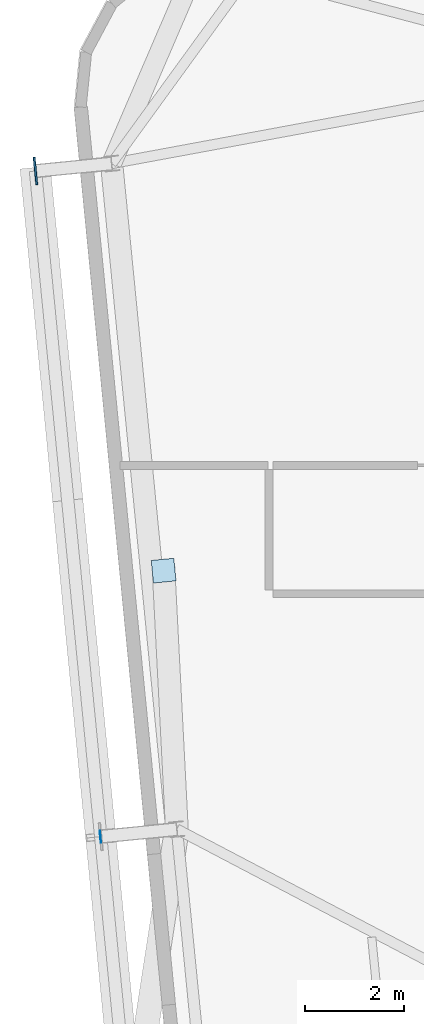
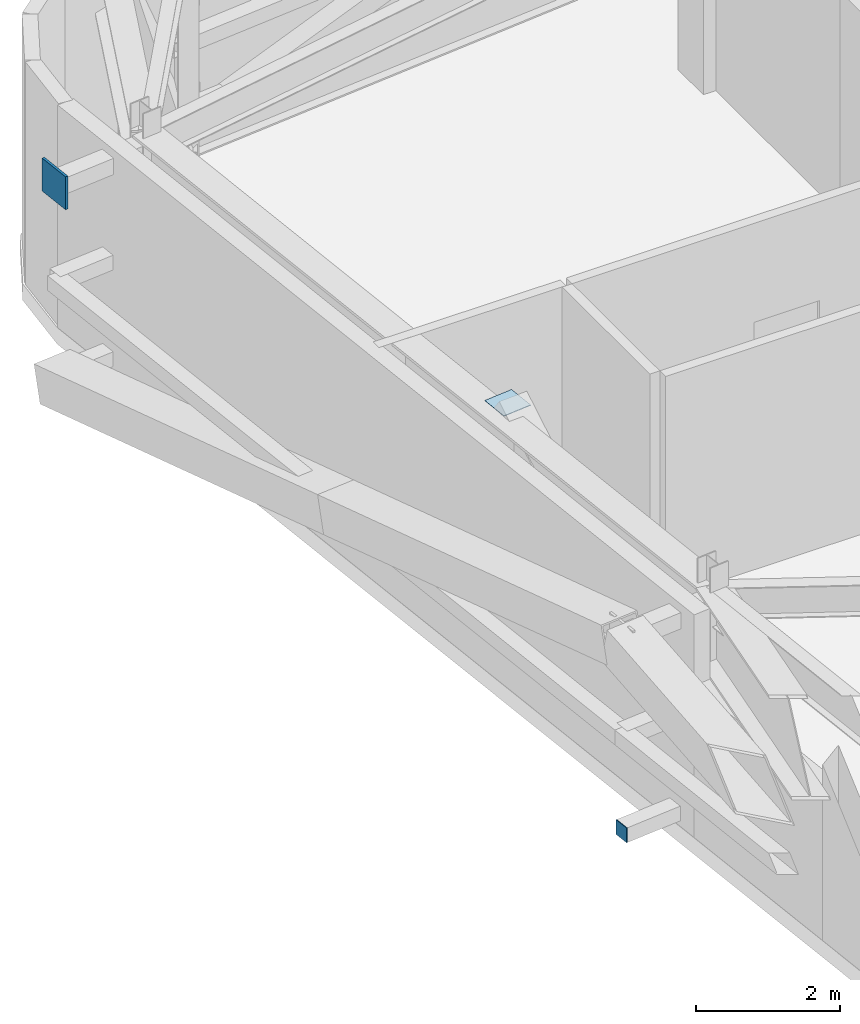
# One storey, part 15 of 24: 3 plates.
"""IFC4 building model written with IfcOpenShell, lengths in metres."""

from ifc_helpers import new_model, si_unit, direction, frame, origin, origin_2d, place, context, subcontext, project, spatial, rectangle, extrude, source, transform, mapped, material, layer, layer_set, type_object, element, save


model = new_model("IFC4")

# Units and contexts
model_context = context("Model", 3, precision=1e-05, world=origin(), true_north=direction((0.0, 1.0)))
body_context = subcontext(model_context, "Body", "Model", "MODEL_VIEW")
ifc_project = project(units=[si_unit("LENGTHUNIT", "METRE"), si_unit("AREAUNIT", "SQUARE_METRE"), si_unit("VOLUMEUNIT", "CUBIC_METRE"), si_unit("PLANEANGLEUNIT", "RADIAN"), si_unit("MASSUNIT", "GRAM", prefix="KILO")], contexts=[model_context])

# Site, building, storey
site_placement = place(None, origin())
site = spatial("IfcSite", under=ifc_project, at=site_placement, CompositionType="ELEMENT")
building_placement = place(site_placement, origin())
building = spatial("IfcBuilding", under=site, at=building_placement, Name="Taldren Reach Tower", CompositionType="ELEMENT")
storey_placement = place(building_placement, frame((0.0, 0.0, 112.35009765625)))
storey = spatial("IfcBuildingStorey", under=building, at=storey_placement, Name="L34", CompositionType="ELEMENT", Elevation=112.35009765625)

# Plates
ifc_material_1 = material(Name="Steel Gr 450 (C450L0)", Category="steel")
ifc_layer_1 = layer(ifc_material_1, 0.0400390625)
ifc_layer_set_1 = layer_set([ifc_layer_1], Name="Steel Gr 450 (C450L0)")
plate_type_1 = type_object("IfcPlateType", Name="PL-GUSSET-40", PredefinedType="SHEET", material=ifc_layer_set_1)
shared_shape_1 = source(origin(), body_context, "Body", "SweptSolid", [
    extrude(rectangle(XDim=0.56005859375, YDim=0.0400390625, at=origin_2d()), origin(), (0.0, 0.0, 1.0), 0.56005859375),
])
plate_1_placement = place(storey_placement, frame((7.265625, 29.965087890625, 3.219970703125), z_axis=(0.0, 0.0, 1.0), x_axis=(-0.097582899759, 0.995227399982, 0.0)))
element("IfcPlate", 1, at=plate_1_placement, inside=storey, type_object=plate_type_1, Name="Exoskeleton star-node gusset plate B2-W3 L34", PredefinedType="SHEET", context=body_context, shape_type="MappedRepresentation", body=[
    mapped(shared_shape_1, transform((0.0, 0.0, 0.0), scale=1.0)),
])
ifc_material_2 = material(Name="Steel Gr 350 (C350L0)", Category="steel")
ifc_layer_2 = layer(ifc_material_2, 0.011962890625)
ifc_layer_set_2 = layer_set([ifc_layer_2], Name="Steel Gr 350 (C350L0)")
plate_type_2 = type_object("IfcPlateType", Name="PL-CAP-250", PredefinedType="SHEET", material=ifc_layer_set_2)
shared_shape_2 = source(origin(), body_context, "Body", "SweptSolid", [
    extrude(rectangle(XDim=0.011962890625, YDim=0.25, at=origin_2d()), origin(), (0.0, 0.0, 1.0), 0.25),
])
plate_2_placement = place(storey_placement, frame((8.58203125, 16.479248046875, 0.094970703125), z_axis=(0.0, 0.0, 1.0), x_axis=(0.995227399982, 0.097582899759, 0.0)))
element("IfcPlate", 2, at=plate_2_placement, inside=storey, type_object=plate_type_2, Name="Tie strut end cap plate B2-W2 L34", PredefinedType="SHEET", context=body_context, shape_type="MappedRepresentation", body=[
    mapped(shared_shape_2, transform((0.0, 0.0, 0.0), scale=1.0)),
])
ifc_layer_3 = layer(ifc_material_1, 0.011962890625)
ifc_layer_set_3 = layer_set([ifc_layer_3], Name="Steel Gr 450 (C450L0)")
plate_type_3 = type_object("IfcPlateType", Name="PL-CAP-460", PredefinedType="SHEET", material=ifc_layer_set_3)
shared_shape_3 = source(origin(), body_context, "Body", "SweptSolid", [
    extrude(rectangle(XDim=0.4599609375, YDim=0.4599609375, at=origin_2d()), origin(), (0.0, 0.0, 1.0), 0.011962890625),
])
plate_3_placement = place(storey_placement, frame((9.86181640625, 21.868408203125, 3.76806640625), z_axis=(0.0, 0.0, 1.0), x_axis=(0.995227399982, 0.097582899759, 0.0)))
element("IfcPlate", 3, at=plate_3_placement, inside=storey, type_object=plate_type_3, Name="Transfer strut end cap plate TS-B3-W2 L34", PredefinedType="SHEET", context=body_context, shape_type="MappedRepresentation", body=[
    mapped(shared_shape_3, transform((0.0, 0.0, 0.0), scale=1.0)),
])

save(model, "model.ifc")
